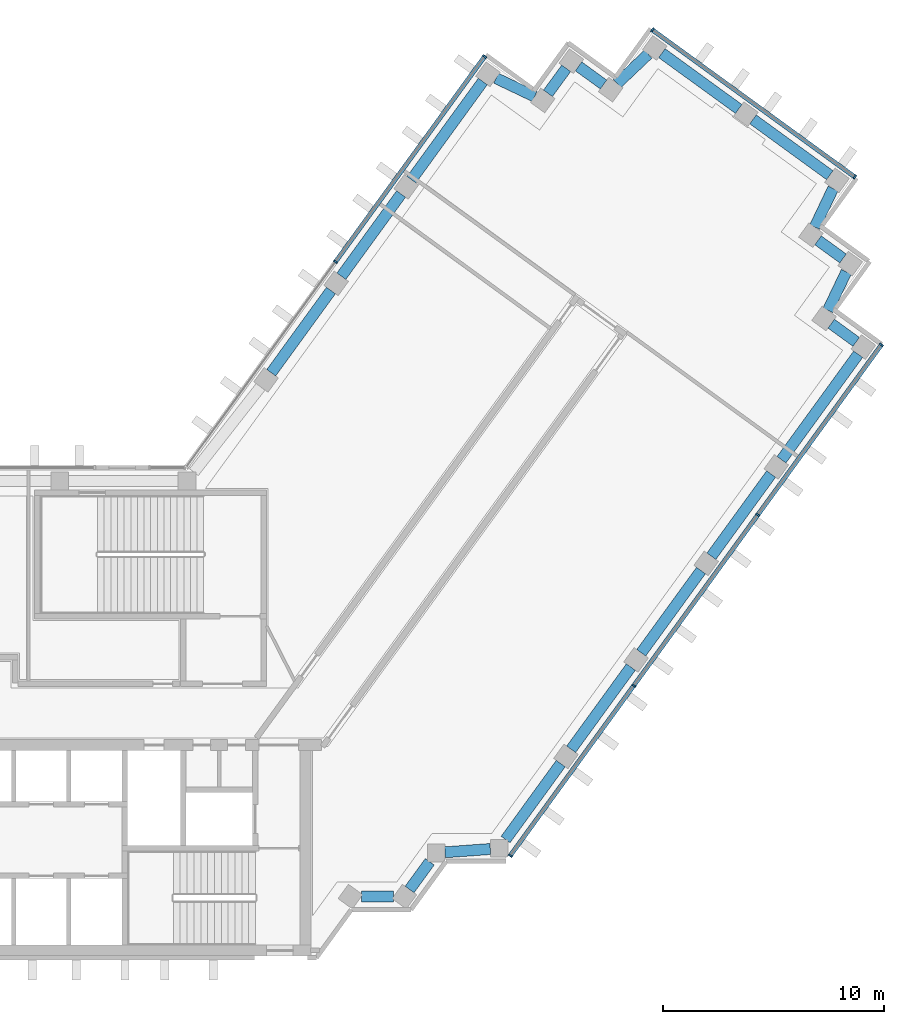
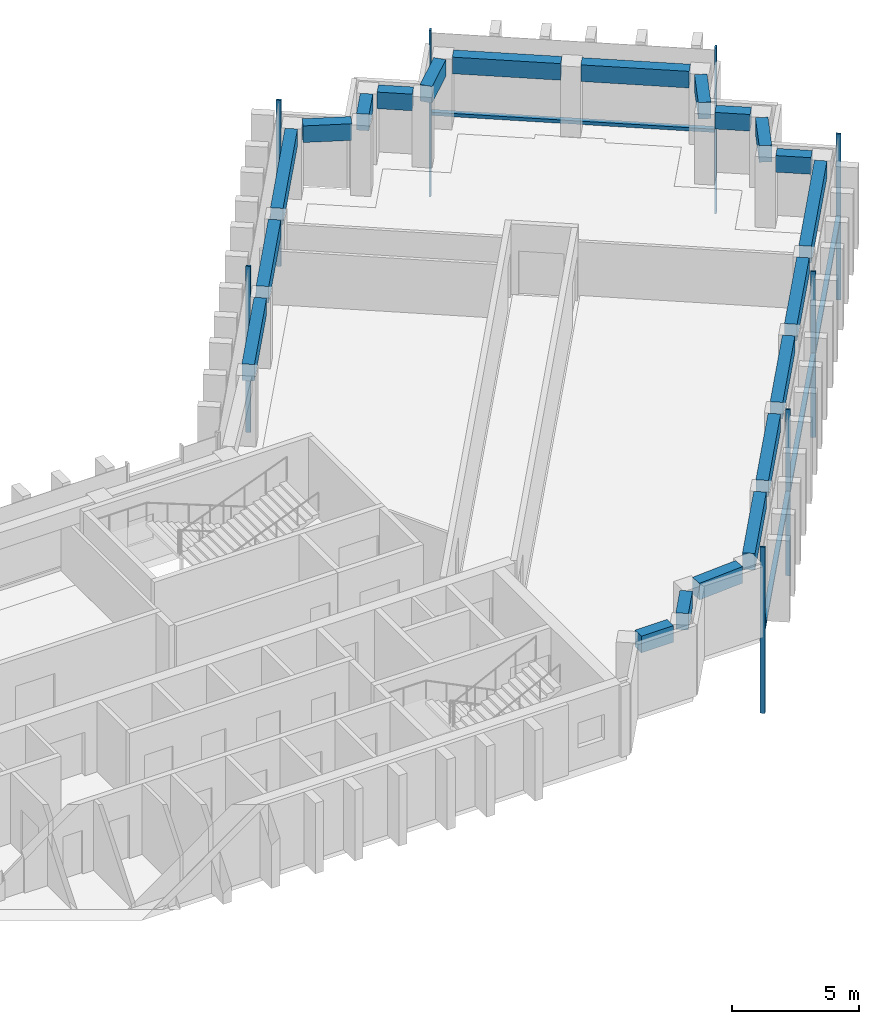
# One storey, part 5 of 13: 21 beams, 13 members, 3 elements without a shape of their own.
"""IFC4 building model written with IfcOpenShell, lengths in metres."""

from ifc_helpers import new_model, si_unit, direction, frame, origin, origin_2d, place, context, subcontext, project, spatial, rectangle, extrude, material, material_profile, profile_set, type_object, element, aggregate, save


model = new_model("IFC4")

# Units and contexts
model_context = context("Model", 3, precision=1e-05, world=origin(), true_north=direction((0.0, 1.0)))
body_context = subcontext(model_context, "Body", "Model", "MODEL_VIEW")
ifc_project = project(units=[si_unit("LENGTHUNIT", "METRE"), si_unit("AREAUNIT", "SQUARE_METRE"), si_unit("VOLUMEUNIT", "CUBIC_METRE"), si_unit("PLANEANGLEUNIT", "RADIAN"), si_unit("MASSUNIT", "GRAM", prefix="KILO")], contexts=[model_context])

# Site, building, storey
site_placement = place(None, origin())
site = spatial("IfcSite", under=ifc_project, at=site_placement, CompositionType="ELEMENT")
building_placement = place(site_placement, origin())
building = spatial("IfcBuilding", under=site, at=building_placement, Name="Quipu Civic Tower", CompositionType="ELEMENT")
storey_placement = place(building_placement, frame((0.0, 0.0, 184.0)))
storey = spatial("IfcBuildingStorey", under=building, at=storey_placement, Name="L43", CompositionType="ELEMENT", Elevation=184.0)

# Curtain wall, members
ifc_material_1 = material(Name="Insulated glass unit", Category="glass")
curtain_wall_type = type_object("IfcCurtainWallType", Name="Office curtain wall CW1", PredefinedType="NOTDEFINED", material=ifc_material_1)
curtain_wall_1_placement = place(storey_placement, origin())
curtain_wall_1 = element("IfcCurtainWall", 1, at=curtain_wall_1_placement, inside=storey, type_object=curtain_wall_type, Name="Office curtain wall CW1 L42 run 20", PredefinedType="NOTDEFINED")
ifc_material_2 = material(Name="Anodised aluminium", Category="aluminium")
ifc_material_profile_1 = material_profile(ifc_material_2, rectangle(XDim=0.199951171875, YDim=0.080078125, at=origin_2d()), Name="RECT 200x80")
ifc_profile_set_1 = profile_set([ifc_material_profile_1], Name="Anodised aluminium")
member_type_1 = type_object("IfcMemberType", Name="Mullion CW1", PredefinedType="MULLION", material=ifc_profile_set_1)
member_1_placement = place(storey_placement, frame((29.029296875, -6.45654296875, -3.919921875), z_axis=(0.0, 0.0, 1.0), x_axis=(-0.80901667469, 0.5877856923, 0.0)))
member_1 = element("IfcMember", 2, at=member_1_placement, type_object=member_type_1, Name="CW1 mullion 1", PredefinedType="MULLION", context=body_context, shape_type="SweptSolid", body=[
    extrude(rectangle(XDim=0.199951171875, YDim=0.080078125, at=origin_2d()), origin(), (0.0, 0.0, 1.0), 8.0),
])
member_2_placement = place(storey_placement, frame((34.620361328125, 1.23876953125, -3.919921875), z_axis=(0.0, 0.0, 1.0), x_axis=(-0.80901667469, 0.5877856923, 0.0)))
member_2 = element("IfcMember", 3, at=member_2_placement, type_object=member_type_1, Name="CW1 mullion 2", PredefinedType="MULLION", context=body_context, shape_type="SweptSolid", body=[
    extrude(rectangle(XDim=0.199951171875, YDim=0.080078125, at=origin_2d()), origin(), (0.0, 0.0, 1.0), 8.0),
])
member_3_placement = place(storey_placement, frame((40.23486328125, 8.966552734375, -3.919921875), z_axis=(0.0, 0.0, 1.0), x_axis=(-0.80901667469, 0.5877856923, 0.0)))
member_3 = element("IfcMember", 4, at=member_3_placement, type_object=member_type_1, Name="CW1 mullion 3", PredefinedType="MULLION", context=body_context, shape_type="SweptSolid", body=[
    extrude(rectangle(XDim=0.199951171875, YDim=0.080078125, at=origin_2d()), origin(), (0.0, 0.0, 1.0), 8.0),
])
member_4_placement = place(storey_placement, frame((45.825927734375, 16.661865234375, -3.919921875), z_axis=(0.0, 0.0, 1.0), x_axis=(-0.80901667469, 0.5877856923, 0.0)))
member_4 = element("IfcMember", 5, at=member_4_placement, type_object=member_type_1, Name="CW1 mullion 4", PredefinedType="MULLION", context=body_context, shape_type="SweptSolid", body=[
    extrude(rectangle(XDim=0.199951171875, YDim=0.080078125, at=origin_2d()), origin(), (0.0, 0.0, 1.0), 8.0),
])

curtain_wall_2_placement = place(storey_placement, origin())
curtain_wall_2 = element("IfcCurtainWall", 6, at=curtain_wall_2_placement, inside=storey, type_object=curtain_wall_type, Name="Office curtain wall CW1 L42 run 25", PredefinedType="NOTDEFINED")
member_5_placement = place(storey_placement, frame((44.62255859375, 24.260498046875, -3.919921875), z_axis=(0.0, 0.0, 1.0), x_axis=(-0.587787753918, -0.809015176832, 0.0)))
member_5 = element("IfcMember", 7, at=member_5_placement, type_object=member_type_1, Name="CW1 mullion 1", PredefinedType="MULLION", context=body_context, shape_type="SweptSolid", body=[
    extrude(rectangle(XDim=0.199951171875, YDim=0.080078125, at=origin_2d()), origin(), (0.0, 0.0, 1.0), 8.0),
])
member_6_placement = place(storey_placement, frame((35.46435546875, 30.914306640625, -3.919921875), z_axis=(0.0, 0.0, 1.0), x_axis=(-0.587787753918, -0.809015176832, 0.0)))
member_6 = element("IfcMember", 8, at=member_6_placement, type_object=member_type_1, Name="CW1 mullion 2", PredefinedType="MULLION", context=body_context, shape_type="SweptSolid", body=[
    extrude(rectangle(XDim=0.199951171875, YDim=0.080078125, at=origin_2d()), origin(), (0.0, 0.0, 1.0), 8.0),
])

curtain_wall_3_placement = place(storey_placement, origin())
curtain_wall_3 = element("IfcCurtainWall", 9, at=curtain_wall_3_placement, inside=storey, type_object=curtain_wall_type, Name="Office curtain wall CW1 L42 run 30", PredefinedType="NOTDEFINED")
member_7_placement = place(storey_placement, frame((27.865966796875, 29.7109375, -3.919921875), z_axis=(0.0, 0.0, 1.0), x_axis=(0.809014469803, -0.587788727052, 0.0)))
member_7 = element("IfcMember", 10, at=member_7_placement, type_object=member_type_1, Name="CW1 mullion 1", PredefinedType="MULLION", context=body_context, shape_type="SweptSolid", body=[
    extrude(rectangle(XDim=0.199951171875, YDim=0.080078125, at=origin_2d()), origin(), (0.0, 0.0, 1.0), 8.0),
])
member_8_placement = place(storey_placement, frame((21.11669921875, 20.421630859375, -3.919921875), z_axis=(0.0, 0.0, 1.0), x_axis=(0.809014469803, -0.587788727052, 0.0)))
member_8 = element("IfcMember", 11, at=member_8_placement, type_object=member_type_1, Name="CW1 mullion 2", PredefinedType="MULLION", context=body_context, shape_type="SweptSolid", body=[
    extrude(rectangle(XDim=0.199951171875, YDim=0.080078125, at=origin_2d()), origin(), (0.0, 0.0, 1.0), 8.0),
])

# Beams
ifc_material_3 = material(Name="Concrete C50/60", Category="concrete")
ifc_material_profile_2 = material_profile(ifc_material_3, rectangle(XDim=0.5, YDim=0.800048828125, at=origin_2d()), Name="RC500x800")
ifc_profile_set_2 = profile_set([ifc_material_profile_2], Name="Concrete C50/60")
beam_type = type_object("IfcBeamType", Name="Spandrel beam RC 500x800 C50/60", PredefinedType="SPANDREL", material=ifc_profile_set_2)
beam_1_placement = place(storey_placement, frame((22.2861328125, -8.31494140625, 3.0), z_axis=(1.0, 0.0, 0.0), x_axis=(0.0, 1.0, 0.0)))
element("IfcBeam", 12, at=beam_1_placement, inside=storey, type_object=beam_type, Name="Spandrel beam L43 J-Eo.1 to J-Eo.2", PredefinedType="SPANDREL", context=body_context, shape_type="SweptSolid", body=[
    extrude(rectangle(XDim=0.5, YDim=0.800048828125, at=origin_2d()), origin(), (0.0, 0.0, 1.0), 1.454345703125),
])
beam_2_placement = place(storey_placement, frame((24.470458984375, -7.991455078125, 3.0), z_axis=(0.588405601119, 0.808565920981, 0.0), x_axis=(-0.808565920981, 0.588405601119, 0.0)))
element("IfcBeam", 13, at=beam_2_placement, inside=storey, type_object=beam_type, Name="Spandrel beam L43 J-Eo.2 to J-Eo.3", PredefinedType="SPANDREL", context=body_context, shape_type="SweptSolid", body=[
    extrude(rectangle(XDim=0.5, YDim=0.800048828125, at=origin_2d()), origin(), (0.0, 0.0, 1.0), 1.55126953125),
])
beam_3_placement = place(storey_placement, frame((26.074462890625, -6.307861328125, 3.0), z_axis=(0.997372997143, 0.072436900614, 0.0), x_axis=(-0.072436900614, 0.997372997143, 0.0)))
element("IfcBeam", 14, at=beam_3_placement, inside=storey, type_object=beam_type, Name="Spandrel beam L43 J-Eo.3 to J-Eo.4", PredefinedType="SPANDREL", context=body_context, shape_type="SweptSolid", body=[
    extrude(rectangle(XDim=0.5, YDim=0.800048828125, at=origin_2d()), origin(), (0.0, 0.0, 1.0), 2.055908203125),
])
beam_4_placement = place(storey_placement, frame((28.815673828125, -5.72998046875, 3.0), z_axis=(0.58776850526, 0.809029161541, 0.0), x_axis=(-0.809029161541, 0.58776850526, 0.0)))
element("IfcBeam", 15, at=beam_4_placement, inside=storey, type_object=beam_type, Name="Spandrel beam L43 J-Eo.4 to E-OUT-01", PredefinedType="SPANDREL", context=body_context, shape_type="SweptSolid", body=[
    extrude(rectangle(XDim=0.5, YDim=0.800048828125, at=origin_2d()), origin(), (0.0, 0.0, 1.0), 4.249267578125),
])
beam_5_placement = place(storey_placement, frame((31.783447265625, -1.64501953125, 3.0), z_axis=(0.587796098864, 0.809009113768, 0.0), x_axis=(-0.809009113768, 0.587796098864, 0.0)))
element("IfcBeam", 16, at=beam_5_placement, inside=storey, type_object=beam_type, Name="Spandrel beam L43 E-OUT-01 to E-OUT-02", PredefinedType="SPANDREL", context=body_context, shape_type="SweptSolid", body=[
    extrude(rectangle(XDim=0.5, YDim=0.800048828125, at=origin_2d()), origin(), (0.0, 0.0, 1.0), 4.60009765625),
])
beam_6_placement = place(storey_placement, frame((34.95751953125, 2.7236328125, 3.0), z_axis=(0.58776136044, 0.809034352283, 0.0), x_axis=(-0.809034352283, 0.58776136044, 0.0)))
element("IfcBeam", 17, at=beam_6_placement, inside=storey, type_object=beam_type, Name="Spandrel beam L43 E-OUT-02 to E-OUT-03", PredefinedType="SPANDREL", context=body_context, shape_type="SweptSolid", body=[
    extrude(rectangle(XDim=0.5, YDim=0.800048828125, at=origin_2d()), origin(), (0.0, 0.0, 1.0), 4.599853515625),
])
beam_7_placement = place(storey_placement, frame((38.13134765625, 7.09228515625, 3.0), z_axis=(0.587770861189, 0.809027449928, 0.0), x_axis=(-0.809027449928, 0.587770861189, 0.0)))
element("IfcBeam", 18, at=beam_7_placement, inside=storey, type_object=beam_type, Name="Spandrel beam L43 E-OUT-03 to E-OUT-04", PredefinedType="SPANDREL", context=body_context, shape_type="SweptSolid", body=[
    extrude(rectangle(XDim=0.5, YDim=0.800048828125, at=origin_2d()), origin(), (0.0, 0.0, 1.0), 4.60009765625),
])
beam_8_placement = place(storey_placement, frame((41.305419921875, 11.461181640625, 3.0), z_axis=(0.58780026889, 0.809006083965, 0.0), x_axis=(-0.809006083965, 0.58780026889, 0.0)))
element("IfcBeam", 19, at=beam_8_placement, inside=storey, type_object=beam_type, Name="Spandrel beam L43 E-OUT-04 to T-Eo.0-E34", PredefinedType="SPANDREL", context=body_context, shape_type="SweptSolid", body=[
    extrude(rectangle(XDim=0.5, YDim=0.800048828125, at=origin_2d()), origin(), (0.0, 0.0, 1.0), 5.902587890625),
])
beam_9_placement = place(storey_placement, frame((44.6865234375, 16.79541015625, 3.0), z_axis=(-0.808600329101, 0.588358315805, 0.0), x_axis=(-0.588358315805, -0.808600329101, 0.0)))
element("IfcBeam", 20, at=beam_9_placement, inside=storey, type_object=beam_type, Name="Spandrel beam L43 T-Eo.0-E34 to T-Eo.1-E34", PredefinedType="SPANDREL", context=body_context, shape_type="SweptSolid", body=[
    extrude(rectangle(XDim=0.5, YDim=0.800048828125, at=origin_2d()), origin(), (0.0, 0.0, 1.0), 1.400146484375),
])
beam_10_placement = place(storey_placement, frame((43.40625, 18.2216796875, 3.0), z_axis=(0.430785642718, 0.902454281406, 0.0), x_axis=(-0.902454281406, 0.430785642718, 0.0)))
element("IfcBeam", 21, at=beam_10_placement, inside=storey, type_object=beam_type, Name="Spandrel beam L43 T-Eo.1-E34 to T-Eo.2-E34", PredefinedType="SPANDREL", context=body_context, shape_type="SweptSolid", body=[
    extrude(rectangle(XDim=0.5, YDim=0.800048828125, at=origin_2d()), origin(), (0.0, 0.0, 1.0), 1.934814453125),
])
beam_11_placement = place(storey_placement, frame((44.09130859375, 20.56982421875, 3.0), z_axis=(-0.809467380413, 0.587164849125, 0.0), x_axis=(-0.587164849125, -0.809467380413, 0.0)))
element("IfcBeam", 22, at=beam_11_placement, inside=storey, type_object=beam_type, Name="Spandrel beam L43 T-Eo.2-E34 to T-Eo.3-E34", PredefinedType="SPANDREL", context=body_context, shape_type="SweptSolid", body=[
    extrude(rectangle(XDim=0.5, YDim=0.800048828125, at=origin_2d()), origin(), (0.0, 0.0, 1.0), 1.399169921875),
])
beam_12_placement = place(storey_placement, frame((42.809814453125, 21.99365234375, 3.0), z_axis=(0.429889421342, 0.902881545618, 0.0), x_axis=(-0.902881545618, 0.429889421342, 0.0)))
element("IfcBeam", 23, at=beam_12_placement, inside=storey, type_object=beam_type, Name="Spandrel beam L43 T-Eo.3-E34 to T-Eo.4-E34", PredefinedType="SPANDREL", context=body_context, shape_type="SweptSolid", body=[
    extrude(rectangle(XDim=0.5, YDim=0.800048828125, at=origin_2d()), origin(), (0.0, 0.0, 1.0), 1.931396484375),
])
beam_13_placement = place(storey_placement, frame((43.491455078125, 24.340087890625, 3.0), z_axis=(-0.808947267178, 0.587881211578, 0.0), x_axis=(-0.587881211578, -0.808947267178, 0.0)))
element("IfcBeam", 24, at=beam_13_placement, inside=storey, type_object=beam_type, Name="Spandrel beam L43 T-Eo.4-E34 to TIP-E-01-E34", PredefinedType="SPANDREL", context=body_context, shape_type="SweptSolid", body=[
    extrude(rectangle(XDim=0.5, YDim=0.800048828125, at=origin_2d()), origin(), (0.0, 0.0, 1.0), 4.29833984375),
])
beam_14_placement = place(storey_placement, frame((39.3671875, 27.337158203125, 3.0), z_axis=(-0.808983997561, 0.58783066583, 0.0), x_axis=(-0.58783066583, -0.808983997561, 0.0)))
element("IfcBeam", 25, at=beam_14_placement, inside=storey, type_object=beam_type, Name="Spandrel beam L43 TIP-E-01-E34 to T-Ei.0-E34", PredefinedType="SPANDREL", context=body_context, shape_type="SweptSolid", body=[
    extrude(rectangle(XDim=0.5, YDim=0.800048828125, at=origin_2d()), origin(), (0.0, 0.0, 1.0), 4.2998046875),
])
beam_15_placement = place(storey_placement, frame((35.27001953125, 29.81982421875, 3.0), z_axis=(-0.72519185421, -0.68854685722, 0.0), x_axis=(0.68854685722, -0.72519185421, 0.0)))
element("IfcBeam", 26, at=beam_15_placement, inside=storey, type_object=beam_type, Name="Spandrel beam L43 T-Ei.0-E34 to T-Ei.1-E34", PredefinedType="SPANDREL", context=body_context, shape_type="SweptSolid", body=[
    extrude(rectangle(XDim=0.5, YDim=0.800048828125, at=origin_2d()), origin(), (0.0, 0.0, 1.0), 1.93212890625),
])
beam_16_placement = place(storey_placement, frame((33.250244140625, 28.4443359375, 3.0), z_axis=(-0.80941533633, 0.587236590578, 0.0), x_axis=(-0.587236590578, -0.80941533633, 0.0)))
element("IfcBeam", 27, at=beam_16_placement, inside=storey, type_object=beam_type, Name="Spandrel beam L43 T-Ei.1-E34 to T-Ei.2-E34", PredefinedType="SPANDREL", context=body_context, shape_type="SweptSolid", body=[
    extrude(rectangle(XDim=0.5, YDim=0.800048828125, at=origin_2d()), origin(), (0.0, 0.0, 1.0), 1.397705078125),
])
beam_17_placement = place(storey_placement, frame((31.559326171875, 29.1767578125, 3.0), z_axis=(-0.589342949835, -0.80788296645, 0.0), x_axis=(0.80788296645, -0.589342949835, 0.0)))
element("IfcBeam", 28, at=beam_17_placement, inside=storey, type_object=beam_type, Name="Spandrel beam L43 T-Ei.2-E34 to T-Ei.3-E34", PredefinedType="SPANDREL", context=body_context, shape_type="SweptSolid", body=[
    extrude(rectangle(XDim=0.5, YDim=0.800048828125, at=origin_2d()), origin(), (0.0, 0.0, 1.0), 1.39990234375),
])
beam_18_placement = place(storey_placement, frame((30.131591796875, 27.89794921875, 3.0), z_axis=(-0.902584802379, 0.430512107279, 0.0), x_axis=(-0.430512107279, -0.902584802379, 0.0)))
element("IfcBeam", 29, at=beam_18_placement, inside=storey, type_object=beam_type, Name="Spandrel beam L43 T-Ei.3-E34 to T-Ei.4-E34", PredefinedType="SPANDREL", context=body_context, shape_type="SweptSolid", body=[
    extrude(rectangle(XDim=0.5, YDim=0.800048828125, at=origin_2d()), origin(), (0.0, 0.0, 1.0), 1.9326171875),
])
beam_19_placement = place(storey_placement, frame((27.784912109375, 28.581298828125, 3.0), z_axis=(-0.587664254196, -0.809104890815, 0.0), x_axis=(0.809104890815, -0.587664254196, 0.0)))
element("IfcBeam", 30, at=beam_19_placement, inside=storey, type_object=beam_type, Name="Spandrel beam L43 T-Ei.4-E34 to E-IN-03", PredefinedType="SPANDREL", context=body_context, shape_type="SweptSolid", body=[
    extrude(rectangle(XDim=0.5, YDim=0.800048828125, at=origin_2d()), origin(), (0.0, 0.0, 1.0), 5.493896484375),
])
beam_20_placement = place(storey_placement, frame((24.086181640625, 23.489013671875, 3.0), z_axis=(-0.587736122681, -0.809052686848, 0.0), x_axis=(0.809052686848, -0.587736122681, 0.0)))
element("IfcBeam", 31, at=beam_20_placement, inside=storey, type_object=beam_type, Name="Spandrel beam L43 E-IN-03 to E-IN-02", PredefinedType="SPANDREL", context=body_context, shape_type="SweptSolid", body=[
    extrude(rectangle(XDim=0.5, YDim=0.800048828125, at=origin_2d()), origin(), (0.0, 0.0, 1.0), 4.60009765625),
])
beam_21_placement = place(storey_placement, frame((20.912353515625, 19.1201171875, 3.0), z_axis=(-0.58776136044, -0.809034352283, 0.0), x_axis=(0.809034352283, -0.58776136044, 0.0)))
element("IfcBeam", 32, at=beam_21_placement, inside=storey, type_object=beam_type, Name="Spandrel beam L43 E-IN-02 to E-IN-01", PredefinedType="SPANDREL", context=body_context, shape_type="SweptSolid", body=[
    extrude(rectangle(XDim=0.5, YDim=0.800048828125, at=origin_2d()), origin(), (0.0, 0.0, 1.0), 4.599853515625),
])

# Member
ifc_material_4 = material(Name="Anodised aluminium", Category="aluminium")
ifc_material_profile_3 = material_profile(ifc_material_4, rectangle(XDim=0.199951171875, YDim=0.159912109375, at=origin_2d()), Name="RECT 200x160")
ifc_profile_set_3 = profile_set([ifc_material_profile_3], Name="Anodised aluminium")
member_type_2 = type_object("IfcMemberType", Name="Transom CW1", PredefinedType="USERDEFINED", material=ifc_profile_set_3)
member_9_placement = place(storey_placement, frame((29.052978515625, -6.424072265625, 0.080078125), z_axis=(0.587783783239, 0.809018061703, 0.0), x_axis=(-0.809018061703, 0.587783783239, 0.0)))
member_9 = element("IfcMember", 33, at=member_9_placement, type_object=member_type_2, Name="CW1 transom 1.2", ObjectType="TRANSOM", PredefinedType="USERDEFINED", context=body_context, shape_type="SweptSolid", body=[
    extrude(rectangle(XDim=0.199951171875, YDim=0.159912109375, at=origin_2d()), origin(), (0.0, 0.0, 1.0), 9.431884765625),
])

member_10_placement = place(storey_placement, frame((34.64404296875, 1.271240234375, 0.080078125), z_axis=(0.587773158676, 0.809025780763, 0.0), x_axis=(-0.809025780763, 0.587773158676, 0.0)))
member_10 = element("IfcMember", 34, at=member_10_placement, type_object=member_type_2, Name="CW1 transom 2.2", ObjectType="TRANSOM", PredefinedType="USERDEFINED", context=body_context, shape_type="SweptSolid", body=[
    extrude(rectangle(XDim=0.199951171875, YDim=0.159912109375, at=origin_2d()), origin(), (0.0, 0.0, 1.0), 9.471923828125),
])

member_11_placement = place(storey_placement, frame((40.258544921875, 8.9990234375, 0.080078125), z_axis=(0.587783783239, 0.809018061703, 0.0), x_axis=(-0.809018061703, 0.587783783239, 0.0)))
member_11 = element("IfcMember", 35, at=member_11_placement, type_object=member_type_2, Name="CW1 transom 3.2", ObjectType="TRANSOM", PredefinedType="USERDEFINED", context=body_context, shape_type="SweptSolid", body=[
    extrude(rectangle(XDim=0.199951171875, YDim=0.159912109375, at=origin_2d()), origin(), (0.0, 0.0, 1.0), 9.431884765625),
])

aggregate(curtain_wall_1, [member_1, member_2, member_3, member_4, member_9, member_10, member_11])

member_12_placement = place(storey_placement, frame((44.590087890625, 24.2841796875, 0.080078125), z_axis=(-0.809014959561, 0.587788052963, 0.0), x_axis=(-0.587788052963, -0.809014959561, 0.0)))
member_12 = element("IfcMember", 36, at=member_12_placement, type_object=member_type_2, Name="CW1 transom 1.2", ObjectType="TRANSOM", PredefinedType="USERDEFINED", context=body_context, shape_type="SweptSolid", body=[
    extrude(rectangle(XDim=0.199951171875, YDim=0.159912109375, at=origin_2d()), origin(), (0.0, 0.0, 1.0), 11.239990234375),
])

aggregate(curtain_wall_2, [member_5, member_6, member_12])

member_13_placement = place(storey_placement, frame((27.84228515625, 29.678466796875, 0.080078125), z_axis=(-0.587775682251, -0.809023947331, 0.0), x_axis=(0.809023947331, -0.587775682251, 0.0)))
member_13 = element("IfcMember", 37, at=member_13_placement, type_object=member_type_2, Name="CW1 transom 1.2", ObjectType="TRANSOM", PredefinedType="USERDEFINED", context=body_context, shape_type="SweptSolid", body=[
    extrude(rectangle(XDim=0.199951171875, YDim=0.159912109375, at=origin_2d()), origin(), (0.0, 0.0, 1.0), 11.402099609375),
])

aggregate(curtain_wall_3, [member_7, member_8, member_13])

save(model, "model.ifc")
